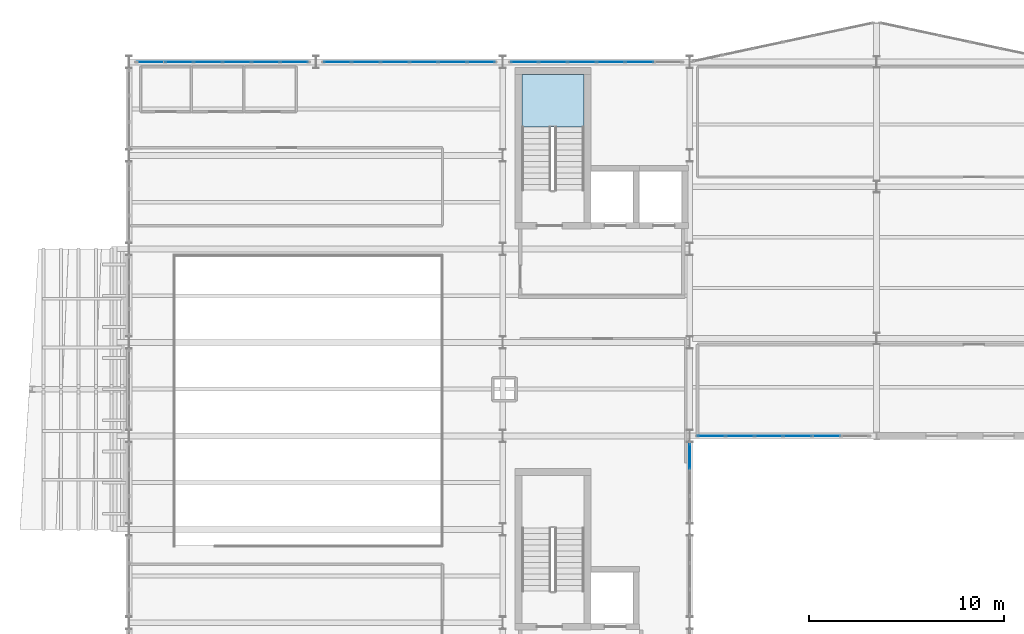
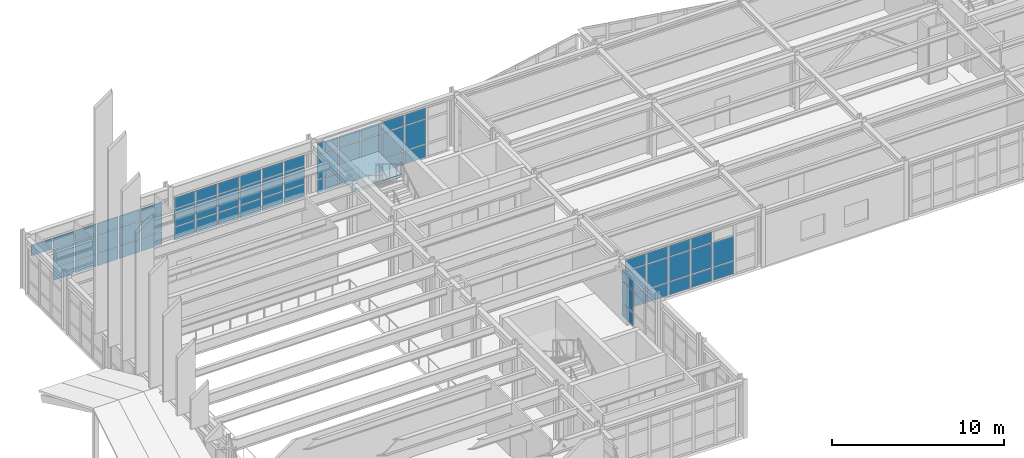
# One storey, part 67 of 99: 66 plates, 1 slab, 6 elements without a shape of their own.
"""IFC4 building model written with IfcOpenShell, lengths in metres."""

from ifc_helpers import new_model, si_unit, direction, frame, origin, origin_2d, place, context, subcontext, project, spatial, polyline, rectangle, outline, extrude, material, layer, layer_set, type_object, element, aggregate, save


model = new_model("IFC4")

# Units and contexts
model_context = context("Model", 3, precision=1e-05, world=origin(), true_north=direction((0.0, 1.0)))
body_context = subcontext(model_context, "Body", "Model", "MODEL_VIEW")
ifc_project = project(units=[si_unit("LENGTHUNIT", "METRE"), si_unit("AREAUNIT", "SQUARE_METRE"), si_unit("VOLUMEUNIT", "CUBIC_METRE"), si_unit("PLANEANGLEUNIT", "RADIAN"), si_unit("MASSUNIT", "GRAM", prefix="KILO")], contexts=[model_context])

# Site, building, storey
site_placement = place(None, origin())
site = spatial("IfcSite", under=ifc_project, at=site_placement, CompositionType="ELEMENT")
building_placement = place(site_placement, origin())
building = spatial("IfcBuilding", under=site, at=building_placement, Name="Nordkorset Police Headquarters", CompositionType="ELEMENT")
storey_placement = place(building_placement, frame((0.0, 0.0, 5.25)))
storey = spatial("IfcBuildingStorey", under=building, at=storey_placement, Name="L01", CompositionType="ELEMENT", Elevation=5.25)

# Curtain wall, plates
ifc_material_1 = material(Name="Aluminium alloy AW-6060", Category="aluminium")
ifc_layer_1 = layer(ifc_material_1, 0.179931640625, Name="Aluminium alloy AW-6060")
ifc_layer_set_1 = layer_set([ifc_layer_1], Name="Aluminium alloy AW-6060")
curtain_wall_type_1 = type_object("IfcCurtainWallType", Name="CW_Unit_888x314", PredefinedType="USERDEFINED", material=ifc_layer_set_1)
curtain_wall_1_placement = place(storey_placement, origin())
curtain_wall_1 = element("IfcCurtainWall", 1, at=curtain_wall_1_placement, inside=storey, type_object=curtain_wall_type_1, Name="Unitised Curtain Wall L01 V1N-0", ObjectType="UNITISED CURTAIN WALL", PredefinedType="USERDEFINED")
ifc_material_2 = material(Name="Low-iron triple glazing", Category="glass")
ifc_layer_2 = layer(ifc_material_2, 0.035888671875, Name="Low-iron triple glazing")
ifc_layer_set_2 = layer_set([ifc_layer_2], Name="Low-iron triple glazing")
plate_type = type_object("IfcPlateType", Name="CW_Panel_TripleGlazing_36", PredefinedType="CURTAIN_PANEL", material=ifc_layer_set_2)
plate_1_placement = place(storey_placement, frame((1.1162109375, 116.800048828125, 2.322509765625), z_axis=(0.0, 0.0, 1.0), x_axis=(1.0, 0.0, 0.0)))
plate_1 = element("IfcPlate", 2, at=plate_1_placement, type_object=plate_type, Name="CW-59 panel 1.3", PredefinedType="CURTAIN_PANEL", context=body_context, shape_type="SweptSolid", body=[
    extrude(rectangle(XDim=1.382568359375, YDim=0.035888671875, at=origin_2d()), origin(), (0.0, 0.0, 1.0), 0.75244140625),
])
plate_2_placement = place(storey_placement, frame((2.580078125, 116.800048828125, 0.06494140625), z_axis=(0.0, 0.0, 1.0), x_axis=(1.0, 0.0, 0.0)))
plate_2 = element("IfcPlate", 3, at=plate_2_placement, type_object=plate_type, Name="CW-59 panel 2.1", PredefinedType="CURTAIN_PANEL", context=body_context, shape_type="SweptSolid", body=[
    extrude(rectangle(XDim=1.4150390625, YDim=0.035888671875, at=origin_2d()), origin(), (0.0, 0.0, 1.0), 0.902587890625),
])
plate_3_placement = place(storey_placement, frame((2.580078125, 116.800048828125, 1.032470703125), z_axis=(0.0, 0.0, 1.0), x_axis=(1.0, 0.0, 0.0)))
plate_3 = element("IfcPlate", 4, at=plate_3_placement, type_object=plate_type, Name="CW-59 panel 2.2", PredefinedType="CURTAIN_PANEL", context=body_context, shape_type="SweptSolid", body=[
    extrude(rectangle(XDim=1.4150390625, YDim=0.035888671875, at=origin_2d()), origin(), (0.0, 0.0, 1.0), 1.22509765625),
])
plate_4_placement = place(storey_placement, frame((2.580078125, 116.800048828125, 2.322509765625), z_axis=(0.0, 0.0, 1.0), x_axis=(1.0, 0.0, 0.0)))
plate_4 = element("IfcPlate", 5, at=plate_4_placement, type_object=plate_type, Name="CW-59 panel 2.3", PredefinedType="CURTAIN_PANEL", context=body_context, shape_type="SweptSolid", body=[
    extrude(rectangle(XDim=1.4150390625, YDim=0.035888671875, at=origin_2d()), origin(), (0.0, 0.0, 1.0), 0.75244140625),
])
plate_5_placement = place(storey_placement, frame((4.06005859375, 116.800048828125, 0.06494140625), z_axis=(0.0, 0.0, 1.0), x_axis=(1.0, 0.0, 0.0)))
plate_5 = element("IfcPlate", 6, at=plate_5_placement, type_object=plate_type, Name="CW-59 panel 3.1", PredefinedType="CURTAIN_PANEL", context=body_context, shape_type="SweptSolid", body=[
    extrude(rectangle(XDim=1.4150390625, YDim=0.035888671875, at=origin_2d()), origin(), (0.0, 0.0, 1.0), 0.902587890625),
])
plate_6_placement = place(storey_placement, frame((4.06005859375, 116.800048828125, 1.032470703125), z_axis=(0.0, 0.0, 1.0), x_axis=(1.0, 0.0, 0.0)))
plate_6 = element("IfcPlate", 7, at=plate_6_placement, type_object=plate_type, Name="CW-59 panel 3.2", PredefinedType="CURTAIN_PANEL", context=body_context, shape_type="SweptSolid", body=[
    extrude(rectangle(XDim=1.4150390625, YDim=0.035888671875, at=origin_2d()), origin(), (0.0, 0.0, 1.0), 1.22509765625),
])
plate_7_placement = place(storey_placement, frame((4.06005859375, 116.800048828125, 2.322509765625), z_axis=(0.0, 0.0, 1.0), x_axis=(1.0, 0.0, 0.0)))
plate_7 = element("IfcPlate", 8, at=plate_7_placement, type_object=plate_type, Name="CW-59 panel 3.3", PredefinedType="CURTAIN_PANEL", context=body_context, shape_type="SweptSolid", body=[
    extrude(rectangle(XDim=1.4150390625, YDim=0.035888671875, at=origin_2d()), origin(), (0.0, 0.0, 1.0), 0.75244140625),
])
plate_8_placement = place(storey_placement, frame((5.5400390625, 116.800048828125, 0.06494140625), z_axis=(0.0, 0.0, 1.0), x_axis=(1.0, 0.0, 0.0)))
plate_8 = element("IfcPlate", 9, at=plate_8_placement, type_object=plate_type, Name="CW-59 panel 4.1", PredefinedType="CURTAIN_PANEL", context=body_context, shape_type="SweptSolid", body=[
    extrude(rectangle(XDim=1.4150390625, YDim=0.035888671875, at=origin_2d()), origin(), (0.0, 0.0, 1.0), 0.902587890625),
])
plate_9_placement = place(storey_placement, frame((5.5400390625, 116.800048828125, 1.032470703125), z_axis=(0.0, 0.0, 1.0), x_axis=(1.0, 0.0, 0.0)))
plate_9 = element("IfcPlate", 10, at=plate_9_placement, type_object=plate_type, Name="CW-59 panel 4.2", PredefinedType="CURTAIN_PANEL", context=body_context, shape_type="SweptSolid", body=[
    extrude(rectangle(XDim=1.4150390625, YDim=0.035888671875, at=origin_2d()), origin(), (0.0, 0.0, 1.0), 1.22509765625),
])
plate_10_placement = place(storey_placement, frame((5.5400390625, 116.800048828125, 2.322509765625), z_axis=(0.0, 0.0, 1.0), x_axis=(1.0, 0.0, 0.0)))
plate_10 = element("IfcPlate", 11, at=plate_10_placement, type_object=plate_type, Name="CW-59 panel 4.3", PredefinedType="CURTAIN_PANEL", context=body_context, shape_type="SweptSolid", body=[
    extrude(rectangle(XDim=1.4150390625, YDim=0.035888671875, at=origin_2d()), origin(), (0.0, 0.0, 1.0), 0.75244140625),
])
plate_11_placement = place(storey_placement, frame((7.02001953125, 116.800048828125, 0.06494140625), z_axis=(0.0, 0.0, 1.0), x_axis=(1.0, 0.0, 0.0)))
plate_11 = element("IfcPlate", 12, at=plate_11_placement, type_object=plate_type, Name="CW-59 panel 5.1", PredefinedType="CURTAIN_PANEL", context=body_context, shape_type="SweptSolid", body=[
    extrude(rectangle(XDim=1.4150390625, YDim=0.035888671875, at=origin_2d()), origin(), (0.0, 0.0, 1.0), 0.902587890625),
])
plate_12_placement = place(storey_placement, frame((7.02001953125, 116.800048828125, 1.032470703125), z_axis=(0.0, 0.0, 1.0), x_axis=(1.0, 0.0, 0.0)))
plate_12 = element("IfcPlate", 13, at=plate_12_placement, type_object=plate_type, Name="CW-59 panel 5.2", PredefinedType="CURTAIN_PANEL", context=body_context, shape_type="SweptSolid", body=[
    extrude(rectangle(XDim=1.4150390625, YDim=0.035888671875, at=origin_2d()), origin(), (0.0, 0.0, 1.0), 1.22509765625),
])
plate_13_placement = place(storey_placement, frame((7.02001953125, 116.800048828125, 2.322509765625), z_axis=(0.0, 0.0, 1.0), x_axis=(1.0, 0.0, 0.0)))
plate_13 = element("IfcPlate", 14, at=plate_13_placement, type_object=plate_type, Name="CW-59 panel 5.3", PredefinedType="CURTAIN_PANEL", context=body_context, shape_type="SweptSolid", body=[
    extrude(rectangle(XDim=1.4150390625, YDim=0.035888671875, at=origin_2d()), origin(), (0.0, 0.0, 1.0), 0.75244140625),
])
plate_14_placement = place(storey_placement, frame((8.483642578125, 116.800048828125, 0.06494140625), z_axis=(0.0, 0.0, 1.0), x_axis=(1.0, 0.0, 0.0)))
plate_14 = element("IfcPlate", 15, at=plate_14_placement, type_object=plate_type, Name="CW-59 panel 6.1", PredefinedType="CURTAIN_PANEL", context=body_context, shape_type="SweptSolid", body=[
    extrude(rectangle(XDim=1.382568359375, YDim=0.035888671875, at=origin_2d()), origin(), (0.0, 0.0, 1.0), 0.902587890625),
])
plate_15_placement = place(storey_placement, frame((8.483642578125, 116.800048828125, 1.032470703125), z_axis=(0.0, 0.0, 1.0), x_axis=(1.0, 0.0, 0.0)))
plate_15 = element("IfcPlate", 16, at=plate_15_placement, type_object=plate_type, Name="CW-59 panel 6.2", PredefinedType="CURTAIN_PANEL", context=body_context, shape_type="SweptSolid", body=[
    extrude(rectangle(XDim=1.382568359375, YDim=0.035888671875, at=origin_2d()), origin(), (0.0, 0.0, 1.0), 1.22509765625),
])
plate_16_placement = place(storey_placement, frame((8.483642578125, 116.800048828125, 2.322509765625), z_axis=(0.0, 0.0, 1.0), x_axis=(1.0, 0.0, 0.0)))
plate_16 = element("IfcPlate", 17, at=plate_16_placement, type_object=plate_type, Name="CW-59 panel 6.3", PredefinedType="CURTAIN_PANEL", context=body_context, shape_type="SweptSolid", body=[
    extrude(rectangle(XDim=1.382568359375, YDim=0.035888671875, at=origin_2d()), origin(), (0.0, 0.0, 1.0), 0.75244140625),
])
aggregate(curtain_wall_1, [plate_1, plate_2, plate_3, plate_4, plate_5, plate_6, plate_7, plate_8, plate_9, plate_10, plate_11, plate_12, plate_13, plate_14, plate_15, plate_16])

curtain_wall_2_placement = place(storey_placement, origin())
curtain_wall_2 = element("IfcCurtainWall", 18, at=curtain_wall_2_placement, inside=storey, type_object=curtain_wall_type_1, Name="Unitised Curtain Wall L01 V1N-1", ObjectType="UNITISED CURTAIN WALL", PredefinedType="USERDEFINED")
plate_17_placement = place(storey_placement, frame((10.71630859375, 116.800048828125, 0.06494140625), z_axis=(0.0, 0.0, 1.0), x_axis=(1.0, 0.0, 0.0)))
plate_17 = element("IfcPlate", 19, at=plate_17_placement, type_object=plate_type, Name="CW-59 panel 1.1", PredefinedType="CURTAIN_PANEL", context=body_context, shape_type="SweptSolid", body=[
    extrude(rectangle(XDim=1.382568359375, YDim=0.035888671875, at=origin_2d()), origin(), (0.0, 0.0, 1.0), 0.902587890625),
])
plate_18_placement = place(storey_placement, frame((10.71630859375, 116.800048828125, 1.032470703125), z_axis=(0.0, 0.0, 1.0), x_axis=(1.0, 0.0, 0.0)))
plate_18 = element("IfcPlate", 20, at=plate_18_placement, type_object=plate_type, Name="CW-59 panel 1.2", PredefinedType="CURTAIN_PANEL", context=body_context, shape_type="SweptSolid", body=[
    extrude(rectangle(XDim=1.382568359375, YDim=0.035888671875, at=origin_2d()), origin(), (0.0, 0.0, 1.0), 1.22509765625),
])
plate_19_placement = place(storey_placement, frame((10.71630859375, 116.800048828125, 2.322509765625), z_axis=(0.0, 0.0, 1.0), x_axis=(1.0, 0.0, 0.0)))
plate_19 = element("IfcPlate", 21, at=plate_19_placement, type_object=plate_type, Name="CW-59 panel 1.3", PredefinedType="CURTAIN_PANEL", context=body_context, shape_type="SweptSolid", body=[
    extrude(rectangle(XDim=1.382568359375, YDim=0.035888671875, at=origin_2d()), origin(), (0.0, 0.0, 1.0), 0.75244140625),
])
plate_20_placement = place(storey_placement, frame((12.179931640625, 116.800048828125, 0.06494140625), z_axis=(0.0, 0.0, 1.0), x_axis=(1.0, 0.0, 0.0)))
plate_20 = element("IfcPlate", 22, at=plate_20_placement, type_object=plate_type, Name="CW-59 panel 2.1", PredefinedType="CURTAIN_PANEL", context=body_context, shape_type="SweptSolid", body=[
    extrude(rectangle(XDim=1.4150390625, YDim=0.035888671875, at=origin_2d()), origin(), (0.0, 0.0, 1.0), 0.902587890625),
])
plate_21_placement = place(storey_placement, frame((12.179931640625, 116.800048828125, 1.032470703125), z_axis=(0.0, 0.0, 1.0), x_axis=(1.0, 0.0, 0.0)))
plate_21 = element("IfcPlate", 23, at=plate_21_placement, type_object=plate_type, Name="CW-59 panel 2.2", PredefinedType="CURTAIN_PANEL", context=body_context, shape_type="SweptSolid", body=[
    extrude(rectangle(XDim=1.4150390625, YDim=0.035888671875, at=origin_2d()), origin(), (0.0, 0.0, 1.0), 1.22509765625),
])
plate_22_placement = place(storey_placement, frame((12.179931640625, 116.800048828125, 2.322509765625), z_axis=(0.0, 0.0, 1.0), x_axis=(1.0, 0.0, 0.0)))
plate_22 = element("IfcPlate", 24, at=plate_22_placement, type_object=plate_type, Name="CW-59 panel 2.3", PredefinedType="CURTAIN_PANEL", context=body_context, shape_type="SweptSolid", body=[
    extrude(rectangle(XDim=1.4150390625, YDim=0.035888671875, at=origin_2d()), origin(), (0.0, 0.0, 1.0), 0.75244140625),
])
plate_23_placement = place(storey_placement, frame((13.659912109375, 116.800048828125, 0.06494140625), z_axis=(0.0, 0.0, 1.0), x_axis=(1.0, 0.0, 0.0)))
plate_23 = element("IfcPlate", 25, at=plate_23_placement, type_object=plate_type, Name="CW-59 panel 3.1", PredefinedType="CURTAIN_PANEL", context=body_context, shape_type="SweptSolid", body=[
    extrude(rectangle(XDim=1.4150390625, YDim=0.035888671875, at=origin_2d()), origin(), (0.0, 0.0, 1.0), 0.902587890625),
])
plate_24_placement = place(storey_placement, frame((13.659912109375, 116.800048828125, 1.032470703125), z_axis=(0.0, 0.0, 1.0), x_axis=(1.0, 0.0, 0.0)))
plate_24 = element("IfcPlate", 26, at=plate_24_placement, type_object=plate_type, Name="CW-59 panel 3.2", PredefinedType="CURTAIN_PANEL", context=body_context, shape_type="SweptSolid", body=[
    extrude(rectangle(XDim=1.4150390625, YDim=0.035888671875, at=origin_2d()), origin(), (0.0, 0.0, 1.0), 1.22509765625),
])
plate_25_placement = place(storey_placement, frame((13.659912109375, 116.800048828125, 2.322509765625), z_axis=(0.0, 0.0, 1.0), x_axis=(1.0, 0.0, 0.0)))
plate_25 = element("IfcPlate", 27, at=plate_25_placement, type_object=plate_type, Name="CW-59 panel 3.3", PredefinedType="CURTAIN_PANEL", context=body_context, shape_type="SweptSolid", body=[
    extrude(rectangle(XDim=1.4150390625, YDim=0.035888671875, at=origin_2d()), origin(), (0.0, 0.0, 1.0), 0.75244140625),
])
plate_26_placement = place(storey_placement, frame((15.139892578125, 116.800048828125, 0.06494140625), z_axis=(0.0, 0.0, 1.0), x_axis=(1.0, 0.0, 0.0)))
plate_26 = element("IfcPlate", 28, at=plate_26_placement, type_object=plate_type, Name="CW-59 panel 4.1", PredefinedType="CURTAIN_PANEL", context=body_context, shape_type="SweptSolid", body=[
    extrude(rectangle(XDim=1.4150390625, YDim=0.035888671875, at=origin_2d()), origin(), (0.0, 0.0, 1.0), 0.902587890625),
])
plate_27_placement = place(storey_placement, frame((15.139892578125, 116.800048828125, 1.032470703125), z_axis=(0.0, 0.0, 1.0), x_axis=(1.0, 0.0, 0.0)))
plate_27 = element("IfcPlate", 29, at=plate_27_placement, type_object=plate_type, Name="CW-59 panel 4.2", PredefinedType="CURTAIN_PANEL", context=body_context, shape_type="SweptSolid", body=[
    extrude(rectangle(XDim=1.4150390625, YDim=0.035888671875, at=origin_2d()), origin(), (0.0, 0.0, 1.0), 1.22509765625),
])
plate_28_placement = place(storey_placement, frame((15.139892578125, 116.800048828125, 2.322509765625), z_axis=(0.0, 0.0, 1.0), x_axis=(1.0, 0.0, 0.0)))
plate_28 = element("IfcPlate", 30, at=plate_28_placement, type_object=plate_type, Name="CW-59 panel 4.3", PredefinedType="CURTAIN_PANEL", context=body_context, shape_type="SweptSolid", body=[
    extrude(rectangle(XDim=1.4150390625, YDim=0.035888671875, at=origin_2d()), origin(), (0.0, 0.0, 1.0), 0.75244140625),
])
plate_29_placement = place(storey_placement, frame((16.6201171875, 116.800048828125, 0.06494140625), z_axis=(0.0, 0.0, 1.0), x_axis=(1.0, 0.0, 0.0)))
plate_29 = element("IfcPlate", 31, at=plate_29_placement, type_object=plate_type, Name="CW-59 panel 5.1", PredefinedType="CURTAIN_PANEL", context=body_context, shape_type="SweptSolid", body=[
    extrude(rectangle(XDim=1.4150390625, YDim=0.035888671875, at=origin_2d()), origin(), (0.0, 0.0, 1.0), 0.902587890625),
])
plate_30_placement = place(storey_placement, frame((16.6201171875, 116.800048828125, 1.032470703125), z_axis=(0.0, 0.0, 1.0), x_axis=(1.0, 0.0, 0.0)))
plate_30 = element("IfcPlate", 32, at=plate_30_placement, type_object=plate_type, Name="CW-59 panel 5.2", PredefinedType="CURTAIN_PANEL", context=body_context, shape_type="SweptSolid", body=[
    extrude(rectangle(XDim=1.4150390625, YDim=0.035888671875, at=origin_2d()), origin(), (0.0, 0.0, 1.0), 1.22509765625),
])
plate_31_placement = place(storey_placement, frame((16.6201171875, 116.800048828125, 2.322509765625), z_axis=(0.0, 0.0, 1.0), x_axis=(1.0, 0.0, 0.0)))
plate_31 = element("IfcPlate", 33, at=plate_31_placement, type_object=plate_type, Name="CW-59 panel 5.3", PredefinedType="CURTAIN_PANEL", context=body_context, shape_type="SweptSolid", body=[
    extrude(rectangle(XDim=1.4150390625, YDim=0.035888671875, at=origin_2d()), origin(), (0.0, 0.0, 1.0), 0.75244140625),
])
plate_32_placement = place(storey_placement, frame((18.083740234375, 116.800048828125, 0.06494140625), z_axis=(0.0, 0.0, 1.0), x_axis=(1.0, 0.0, 0.0)))
plate_32 = element("IfcPlate", 34, at=plate_32_placement, type_object=plate_type, Name="CW-59 panel 6.1", PredefinedType="CURTAIN_PANEL", context=body_context, shape_type="SweptSolid", body=[
    extrude(rectangle(XDim=1.382568359375, YDim=0.035888671875, at=origin_2d()), origin(), (0.0, 0.0, 1.0), 0.902587890625),
])
plate_33_placement = place(storey_placement, frame((18.083740234375, 116.800048828125, 1.032470703125), z_axis=(0.0, 0.0, 1.0), x_axis=(1.0, 0.0, 0.0)))
plate_33 = element("IfcPlate", 35, at=plate_33_placement, type_object=plate_type, Name="CW-59 panel 6.2", PredefinedType="CURTAIN_PANEL", context=body_context, shape_type="SweptSolid", body=[
    extrude(rectangle(XDim=1.382568359375, YDim=0.035888671875, at=origin_2d()), origin(), (0.0, 0.0, 1.0), 1.22509765625),
])
plate_34_placement = place(storey_placement, frame((18.083740234375, 116.800048828125, 2.322509765625), z_axis=(0.0, 0.0, 1.0), x_axis=(1.0, 0.0, 0.0)))
plate_34 = element("IfcPlate", 36, at=plate_34_placement, type_object=plate_type, Name="CW-59 panel 6.3", PredefinedType="CURTAIN_PANEL", context=body_context, shape_type="SweptSolid", body=[
    extrude(rectangle(XDim=1.382568359375, YDim=0.035888671875, at=origin_2d()), origin(), (0.0, 0.0, 1.0), 0.75244140625),
])
aggregate(curtain_wall_2, [plate_17, plate_18, plate_19, plate_20, plate_21, plate_22, plate_23, plate_24, plate_25, plate_26, plate_27, plate_28, plate_29, plate_30, plate_31, plate_32, plate_33, plate_34])

ifc_material_3 = material(Name="Aluminium alloy AW-6060", Category="aluminium")
ifc_layer_3 = layer(ifc_material_3, 0.179931640625, Name="Aluminium alloy AW-6060")
ifc_layer_set_3 = layer_set([ifc_layer_3], Name="Aluminium alloy AW-6060")
curtain_wall_type_2 = type_object("IfcCurtainWallType", Name="CW_Unit_888x363", PredefinedType="USERDEFINED", material=ifc_layer_set_3)
curtain_wall_3_placement = place(storey_placement, origin())
curtain_wall_3 = element("IfcCurtainWall", 37, at=curtain_wall_3_placement, inside=storey, type_object=curtain_wall_type_2, Name="Unitised Curtain Wall L01 V1N-2", ObjectType="UNITISED CURTAIN WALL", PredefinedType="USERDEFINED")
plate_35_placement = place(storey_placement, frame((20.316162109375, 116.800048828125, 0.06494140625), z_axis=(0.0, 0.0, 1.0), x_axis=(1.0, 0.0, 0.0)))
plate_35 = element("IfcPlate", 38, at=plate_35_placement, type_object=plate_type, Name="CW-07 panel 1.1", PredefinedType="CURTAIN_PANEL", context=body_context, shape_type="SweptSolid", body=[
    extrude(rectangle(XDim=1.382568359375, YDim=0.035888671875, at=origin_2d()), origin(), (0.0, 0.0, 1.0), 0.902587890625),
])
plate_36_placement = place(storey_placement, frame((20.316162109375, 116.800048828125, 1.0322265625), z_axis=(0.0, 0.0, 1.0), x_axis=(1.0, 0.0, 0.0)))
plate_36 = element("IfcPlate", 39, at=plate_36_placement, type_object=plate_type, Name="CW-07 panel 1.2", PredefinedType="CURTAIN_PANEL", context=body_context, shape_type="SweptSolid", body=[
    extrude(rectangle(XDim=1.382568359375, YDim=0.035888671875, at=origin_2d()), origin(), (0.0, 0.0, 1.0), 1.715087890625),
])
plate_37_placement = place(storey_placement, frame((20.316162109375, 116.800048828125, 2.8125), z_axis=(0.0, 0.0, 1.0), x_axis=(1.0, 0.0, 0.0)))
plate_37 = element("IfcPlate", 40, at=plate_37_placement, type_object=plate_type, Name="CW-07 panel 1.3", PredefinedType="CURTAIN_PANEL", context=body_context, shape_type="SweptSolid", body=[
    extrude(rectangle(XDim=1.382568359375, YDim=0.035888671875, at=origin_2d()), origin(), (0.0, 0.0, 1.0), 0.75244140625),
])
plate_38_placement = place(storey_placement, frame((21.780029296875, 116.800048828125, 0.06494140625), z_axis=(0.0, 0.0, 1.0), x_axis=(1.0, 0.0, 0.0)))
plate_38 = element("IfcPlate", 41, at=plate_38_placement, type_object=plate_type, Name="CW-07 panel 2.1", PredefinedType="CURTAIN_PANEL", context=body_context, shape_type="SweptSolid", body=[
    extrude(rectangle(XDim=1.4150390625, YDim=0.035888671875, at=origin_2d()), origin(), (0.0, 0.0, 1.0), 0.902587890625),
])
plate_39_placement = place(storey_placement, frame((21.780029296875, 116.800048828125, 1.0322265625), z_axis=(0.0, 0.0, 1.0), x_axis=(1.0, 0.0, 0.0)))
plate_39 = element("IfcPlate", 42, at=plate_39_placement, type_object=plate_type, Name="CW-07 panel 2.2", PredefinedType="CURTAIN_PANEL", context=body_context, shape_type="SweptSolid", body=[
    extrude(rectangle(XDim=1.4150390625, YDim=0.035888671875, at=origin_2d()), origin(), (0.0, 0.0, 1.0), 1.715087890625),
])
plate_40_placement = place(storey_placement, frame((21.780029296875, 116.800048828125, 2.8125), z_axis=(0.0, 0.0, 1.0), x_axis=(1.0, 0.0, 0.0)))
plate_40 = element("IfcPlate", 43, at=plate_40_placement, type_object=plate_type, Name="CW-07 panel 2.3", PredefinedType="CURTAIN_PANEL", context=body_context, shape_type="SweptSolid", body=[
    extrude(rectangle(XDim=1.4150390625, YDim=0.035888671875, at=origin_2d()), origin(), (0.0, 0.0, 1.0), 0.75244140625),
])
plate_41_placement = place(storey_placement, frame((23.260009765625, 116.800048828125, 0.06494140625), z_axis=(0.0, 0.0, 1.0), x_axis=(1.0, 0.0, 0.0)))
plate_41 = element("IfcPlate", 44, at=plate_41_placement, type_object=plate_type, Name="CW-07 panel 3.1", PredefinedType="CURTAIN_PANEL", context=body_context, shape_type="SweptSolid", body=[
    extrude(rectangle(XDim=1.4150390625, YDim=0.035888671875, at=origin_2d()), origin(), (0.0, 0.0, 1.0), 0.902587890625),
])
plate_42_placement = place(storey_placement, frame((23.260009765625, 116.800048828125, 1.0322265625), z_axis=(0.0, 0.0, 1.0), x_axis=(1.0, 0.0, 0.0)))
plate_42 = element("IfcPlate", 45, at=plate_42_placement, type_object=plate_type, Name="CW-07 panel 3.2", PredefinedType="CURTAIN_PANEL", context=body_context, shape_type="SweptSolid", body=[
    extrude(rectangle(XDim=1.4150390625, YDim=0.035888671875, at=origin_2d()), origin(), (0.0, 0.0, 1.0), 1.715087890625),
])
plate_43_placement = place(storey_placement, frame((23.260009765625, 116.800048828125, 2.8125), z_axis=(0.0, 0.0, 1.0), x_axis=(1.0, 0.0, 0.0)))
plate_43 = element("IfcPlate", 46, at=plate_43_placement, type_object=plate_type, Name="CW-07 panel 3.3", PredefinedType="CURTAIN_PANEL", context=body_context, shape_type="SweptSolid", body=[
    extrude(rectangle(XDim=1.4150390625, YDim=0.035888671875, at=origin_2d()), origin(), (0.0, 0.0, 1.0), 0.75244140625),
])
plate_44_placement = place(storey_placement, frame((24.739990234375, 116.800048828125, 0.06494140625), z_axis=(0.0, 0.0, 1.0), x_axis=(1.0, 0.0, 0.0)))
plate_44 = element("IfcPlate", 47, at=plate_44_placement, type_object=plate_type, Name="CW-07 panel 4.1", PredefinedType="CURTAIN_PANEL", context=body_context, shape_type="SweptSolid", body=[
    extrude(rectangle(XDim=1.4150390625, YDim=0.035888671875, at=origin_2d()), origin(), (0.0, 0.0, 1.0), 0.902587890625),
])
plate_45_placement = place(storey_placement, frame((24.739990234375, 116.800048828125, 1.0322265625), z_axis=(0.0, 0.0, 1.0), x_axis=(1.0, 0.0, 0.0)))
plate_45 = element("IfcPlate", 48, at=plate_45_placement, type_object=plate_type, Name="CW-07 panel 4.2", PredefinedType="CURTAIN_PANEL", context=body_context, shape_type="SweptSolid", body=[
    extrude(rectangle(XDim=1.4150390625, YDim=0.035888671875, at=origin_2d()), origin(), (0.0, 0.0, 1.0), 1.715087890625),
])
plate_46_placement = place(storey_placement, frame((24.739990234375, 116.800048828125, 2.8125), z_axis=(0.0, 0.0, 1.0), x_axis=(1.0, 0.0, 0.0)))
plate_46 = element("IfcPlate", 49, at=plate_46_placement, type_object=plate_type, Name="CW-07 panel 4.3", PredefinedType="CURTAIN_PANEL", context=body_context, shape_type="SweptSolid", body=[
    extrude(rectangle(XDim=1.4150390625, YDim=0.035888671875, at=origin_2d()), origin(), (0.0, 0.0, 1.0), 0.75244140625),
])
plate_47_placement = place(storey_placement, frame((26.219970703125, 116.800048828125, 0.06494140625), z_axis=(0.0, 0.0, 1.0), x_axis=(1.0, 0.0, 0.0)))
plate_47 = element("IfcPlate", 50, at=plate_47_placement, type_object=plate_type, Name="CW-07 panel 5.1", PredefinedType="CURTAIN_PANEL", context=body_context, shape_type="SweptSolid", body=[
    extrude(rectangle(XDim=1.4150390625, YDim=0.035888671875, at=origin_2d()), origin(), (0.0, 0.0, 1.0), 0.902587890625),
])
plate_48_placement = place(storey_placement, frame((26.219970703125, 116.800048828125, 1.0322265625), z_axis=(0.0, 0.0, 1.0), x_axis=(1.0, 0.0, 0.0)))
plate_48 = element("IfcPlate", 51, at=plate_48_placement, type_object=plate_type, Name="CW-07 panel 5.2", PredefinedType="CURTAIN_PANEL", context=body_context, shape_type="SweptSolid", body=[
    extrude(rectangle(XDim=1.4150390625, YDim=0.035888671875, at=origin_2d()), origin(), (0.0, 0.0, 1.0), 1.715087890625),
])
plate_49_placement = place(storey_placement, frame((26.219970703125, 116.800048828125, 2.8125), z_axis=(0.0, 0.0, 1.0), x_axis=(1.0, 0.0, 0.0)))
plate_49 = element("IfcPlate", 52, at=plate_49_placement, type_object=plate_type, Name="CW-07 panel 5.3", PredefinedType="CURTAIN_PANEL", context=body_context, shape_type="SweptSolid", body=[
    extrude(rectangle(XDim=1.4150390625, YDim=0.035888671875, at=origin_2d()), origin(), (0.0, 0.0, 1.0), 0.75244140625),
])
aggregate(curtain_wall_3, [plate_35, plate_36, plate_37, plate_38, plate_39, plate_40, plate_41, plate_42, plate_43, plate_44, plate_45, plate_46, plate_47, plate_48, plate_49])

ifc_material_4 = material(Name="Aluminium alloy AW-6060", Category="aluminium")
ifc_layer_4 = layer(ifc_material_4, 0.179931640625, Name="Aluminium alloy AW-6060")
ifc_layer_set_4 = layer_set([ifc_layer_4], Name="Aluminium alloy AW-6060")
curtain_wall_type_3 = type_object("IfcCurtainWallType", Name="CW_Unit_408x340", PredefinedType="USERDEFINED", material=ifc_layer_set_4)
curtain_wall_4_placement = place(storey_placement, origin())
curtain_wall_4 = element("IfcCurtainWall", 53, at=curtain_wall_4_placement, inside=storey, type_object=curtain_wall_type_3, Name="Unitised Curtain Wall L01 V1E-2", ObjectType="UNITISED CURTAIN WALL", PredefinedType="USERDEFINED")
plate_50_placement = place(storey_placement, frame((28.800048828125, 96.543701171875, 0.06494140625), z_axis=(0.0, 0.0, 1.0), x_axis=(0.0, 1.0, 0.0)))
plate_50 = element("IfcPlate", 54, at=plate_50_placement, type_object=plate_type, Name="CW-75 panel 3.1", PredefinedType="CURTAIN_PANEL", context=body_context, shape_type="SweptSolid", body=[
    extrude(rectangle(XDim=1.262451171875, YDim=0.035888671875, at=origin_2d()), origin(), (0.0, 0.0, 1.0), 0.902587890625),
])
plate_51_placement = place(storey_placement, frame((28.800048828125, 96.543701171875, 1.0322265625), z_axis=(0.0, 0.0, 1.0), x_axis=(0.0, 1.0, 0.0)))
plate_51 = element("IfcPlate", 55, at=plate_51_placement, type_object=plate_type, Name="CW-75 panel 3.2", PredefinedType="CURTAIN_PANEL", context=body_context, shape_type="SweptSolid", body=[
    extrude(rectangle(XDim=1.262451171875, YDim=0.035888671875, at=origin_2d()), origin(), (0.0, 0.0, 1.0), 1.485107421875),
])
plate_52_placement = place(storey_placement, frame((28.800048828125, 96.543701171875, 2.58251953125), z_axis=(0.0, 0.0, 1.0), x_axis=(0.0, 1.0, 0.0)))
plate_52 = element("IfcPlate", 56, at=plate_52_placement, type_object=plate_type, Name="CW-75 panel 3.3", PredefinedType="CURTAIN_PANEL", context=body_context, shape_type="SweptSolid", body=[
    extrude(rectangle(XDim=1.262451171875, YDim=0.035888671875, at=origin_2d()), origin(), (0.0, 0.0, 1.0), 0.75244140625),
])
aggregate(curtain_wall_4, [plate_50, plate_51, plate_52])

curtain_wall_5_placement = place(storey_placement, origin())
curtain_wall_5 = element("IfcCurtainWall", 57, at=curtain_wall_5_placement, inside=storey, type_object=curtain_wall_type_2, Name="Unitised Curtain Wall L01 V2S-0", ObjectType="UNITISED CURTAIN WALL", PredefinedType="USERDEFINED")
plate_53_placement = place(storey_placement, frame((29.916259765625, 97.60009765625, 0.06494140625), z_axis=(0.0, 0.0, 1.0), x_axis=(1.0, 0.0, 0.0)))
plate_53 = element("IfcPlate", 58, at=plate_53_placement, type_object=plate_type, Name="CW-07 panel 1.1", PredefinedType="CURTAIN_PANEL", context=body_context, shape_type="SweptSolid", body=[
    extrude(rectangle(XDim=1.382568359375, YDim=0.035888671875, at=origin_2d()), origin(), (0.0, 0.0, 1.0), 0.902587890625),
])
plate_54_placement = place(storey_placement, frame((29.916259765625, 97.60009765625, 1.0322265625), z_axis=(0.0, 0.0, 1.0), x_axis=(1.0, 0.0, 0.0)))
plate_54 = element("IfcPlate", 59, at=plate_54_placement, type_object=plate_type, Name="CW-07 panel 1.2", PredefinedType="CURTAIN_PANEL", context=body_context, shape_type="SweptSolid", body=[
    extrude(rectangle(XDim=1.382568359375, YDim=0.035888671875, at=origin_2d()), origin(), (0.0, 0.0, 1.0), 1.715087890625),
])
plate_55_placement = place(storey_placement, frame((29.916259765625, 97.60009765625, 2.8125), z_axis=(0.0, 0.0, 1.0), x_axis=(1.0, 0.0, 0.0)))
plate_55 = element("IfcPlate", 60, at=plate_55_placement, type_object=plate_type, Name="CW-07 panel 1.3", PredefinedType="CURTAIN_PANEL", context=body_context, shape_type="SweptSolid", body=[
    extrude(rectangle(XDim=1.382568359375, YDim=0.035888671875, at=origin_2d()), origin(), (0.0, 0.0, 1.0), 0.75244140625),
])
plate_56_placement = place(storey_placement, frame((31.3798828125, 97.60009765625, 0.06494140625), z_axis=(0.0, 0.0, 1.0), x_axis=(1.0, 0.0, 0.0)))
plate_56 = element("IfcPlate", 61, at=plate_56_placement, type_object=plate_type, Name="CW-07 panel 2.1", PredefinedType="CURTAIN_PANEL", context=body_context, shape_type="SweptSolid", body=[
    extrude(rectangle(XDim=1.4150390625, YDim=0.035888671875, at=origin_2d()), origin(), (0.0, 0.0, 1.0), 0.902587890625),
])
plate_57_placement = place(storey_placement, frame((31.3798828125, 97.60009765625, 1.0322265625), z_axis=(0.0, 0.0, 1.0), x_axis=(1.0, 0.0, 0.0)))
plate_57 = element("IfcPlate", 62, at=plate_57_placement, type_object=plate_type, Name="CW-07 panel 2.2", PredefinedType="CURTAIN_PANEL", context=body_context, shape_type="SweptSolid", body=[
    extrude(rectangle(XDim=1.4150390625, YDim=0.035888671875, at=origin_2d()), origin(), (0.0, 0.0, 1.0), 1.715087890625),
])
plate_58_placement = place(storey_placement, frame((31.3798828125, 97.60009765625, 2.8125), z_axis=(0.0, 0.0, 1.0), x_axis=(1.0, 0.0, 0.0)))
plate_58 = element("IfcPlate", 63, at=plate_58_placement, type_object=plate_type, Name="CW-07 panel 2.3", PredefinedType="CURTAIN_PANEL", context=body_context, shape_type="SweptSolid", body=[
    extrude(rectangle(XDim=1.4150390625, YDim=0.035888671875, at=origin_2d()), origin(), (0.0, 0.0, 1.0), 0.75244140625),
])
plate_59_placement = place(storey_placement, frame((32.860107421875, 97.60009765625, 0.06494140625), z_axis=(0.0, 0.0, 1.0), x_axis=(1.0, 0.0, 0.0)))
plate_59 = element("IfcPlate", 64, at=plate_59_placement, type_object=plate_type, Name="CW-07 panel 3.1", PredefinedType="CURTAIN_PANEL", context=body_context, shape_type="SweptSolid", body=[
    extrude(rectangle(XDim=1.4150390625, YDim=0.035888671875, at=origin_2d()), origin(), (0.0, 0.0, 1.0), 0.902587890625),
])
plate_60_placement = place(storey_placement, frame((32.860107421875, 97.60009765625, 1.0322265625), z_axis=(0.0, 0.0, 1.0), x_axis=(1.0, 0.0, 0.0)))
plate_60 = element("IfcPlate", 65, at=plate_60_placement, type_object=plate_type, Name="CW-07 panel 3.2", PredefinedType="CURTAIN_PANEL", context=body_context, shape_type="SweptSolid", body=[
    extrude(rectangle(XDim=1.4150390625, YDim=0.035888671875, at=origin_2d()), origin(), (0.0, 0.0, 1.0), 1.715087890625),
])
plate_61_placement = place(storey_placement, frame((32.860107421875, 97.60009765625, 2.8125), z_axis=(0.0, 0.0, 1.0), x_axis=(1.0, 0.0, 0.0)))
plate_61 = element("IfcPlate", 66, at=plate_61_placement, type_object=plate_type, Name="CW-07 panel 3.3", PredefinedType="CURTAIN_PANEL", context=body_context, shape_type="SweptSolid", body=[
    extrude(rectangle(XDim=1.4150390625, YDim=0.035888671875, at=origin_2d()), origin(), (0.0, 0.0, 1.0), 0.75244140625),
])
plate_62_placement = place(storey_placement, frame((34.340087890625, 97.60009765625, 0.06494140625), z_axis=(0.0, 0.0, 1.0), x_axis=(1.0, 0.0, 0.0)))
plate_62 = element("IfcPlate", 67, at=plate_62_placement, type_object=plate_type, Name="CW-07 panel 4.1", PredefinedType="CURTAIN_PANEL", context=body_context, shape_type="SweptSolid", body=[
    extrude(rectangle(XDim=1.4150390625, YDim=0.035888671875, at=origin_2d()), origin(), (0.0, 0.0, 1.0), 0.902587890625),
])
plate_63_placement = place(storey_placement, frame((34.340087890625, 97.60009765625, 1.0322265625), z_axis=(0.0, 0.0, 1.0), x_axis=(1.0, 0.0, 0.0)))
plate_63 = element("IfcPlate", 68, at=plate_63_placement, type_object=plate_type, Name="CW-07 panel 4.2", PredefinedType="CURTAIN_PANEL", context=body_context, shape_type="SweptSolid", body=[
    extrude(rectangle(XDim=1.4150390625, YDim=0.035888671875, at=origin_2d()), origin(), (0.0, 0.0, 1.0), 1.715087890625),
])
plate_64_placement = place(storey_placement, frame((34.340087890625, 97.60009765625, 2.8125), z_axis=(0.0, 0.0, 1.0), x_axis=(1.0, 0.0, 0.0)))
plate_64 = element("IfcPlate", 69, at=plate_64_placement, type_object=plate_type, Name="CW-07 panel 4.3", PredefinedType="CURTAIN_PANEL", context=body_context, shape_type="SweptSolid", body=[
    extrude(rectangle(XDim=1.4150390625, YDim=0.035888671875, at=origin_2d()), origin(), (0.0, 0.0, 1.0), 0.75244140625),
])
plate_65_placement = place(storey_placement, frame((35.820068359375, 97.60009765625, 0.06494140625), z_axis=(0.0, 0.0, 1.0), x_axis=(1.0, 0.0, 0.0)))
plate_65 = element("IfcPlate", 70, at=plate_65_placement, type_object=plate_type, Name="CW-07 panel 5.1", PredefinedType="CURTAIN_PANEL", context=body_context, shape_type="SweptSolid", body=[
    extrude(rectangle(XDim=1.4150390625, YDim=0.035888671875, at=origin_2d()), origin(), (0.0, 0.0, 1.0), 0.902587890625),
])
plate_66_placement = place(storey_placement, frame((35.820068359375, 97.60009765625, 1.0322265625), z_axis=(0.0, 0.0, 1.0), x_axis=(1.0, 0.0, 0.0)))
plate_66 = element("IfcPlate", 71, at=plate_66_placement, type_object=plate_type, Name="CW-07 panel 5.2", PredefinedType="CURTAIN_PANEL", context=body_context, shape_type="SweptSolid", body=[
    extrude(rectangle(XDim=1.4150390625, YDim=0.035888671875, at=origin_2d()), origin(), (0.0, 0.0, 1.0), 1.715087890625),
])
aggregate(curtain_wall_5, [plate_53, plate_54, plate_55, plate_56, plate_57, plate_58, plate_59, plate_60, plate_61, plate_62, plate_63, plate_64, plate_65, plate_66])

# Stair, slab
ifc_material_5 = material(Name="Concrete C35/45", Category="concrete")
stair_type = type_object("IfcStairType", Name="ST-42", PredefinedType="HALF_TURN_STAIR", material=ifc_material_5)
stair_placement = place(storey_placement, origin())
stair = element("IfcStair", 72, at=stair_placement, inside=storey, type_object=stair_type, Name="L01 Protected Escape Stair ST-01", PredefinedType="HALF_TURN_STAIR")
ifc_material_6 = material(Name="Concrete C35/45", Category="concrete")
ifc_layer_5 = layer(ifc_material_6, 0.199951171875, Name="Concrete C35/45")
ifc_layer_set_5 = layer_set([ifc_layer_5], Name="Concrete C35/45")
slab_type = type_object("IfcSlabType", Name="Slab_StairLanding_200", PredefinedType="LANDING", material=ifc_layer_set_5)
slab_placement = place(storey_placement, frame((0.0, 0.0, 1.89990234375)))
slab = element("IfcSlab", 73, at=slab_placement, type_object=slab_type, Name="ST-01 landing 1", PredefinedType="LANDING", context=body_context, shape_type="SweptSolid", body=[
    extrude(outline(polyline([(23.375, 113.469970703125), (23.375, 116.175048828125), (20.175048828125, 116.175048828125), (20.175048828125, 113.469970703125), (23.375, 113.469970703125)])), origin(), (0.0, 0.0, 1.0), 0.2001953125),
])
aggregate(stair, [slab])

save(model, "model.ifc")
